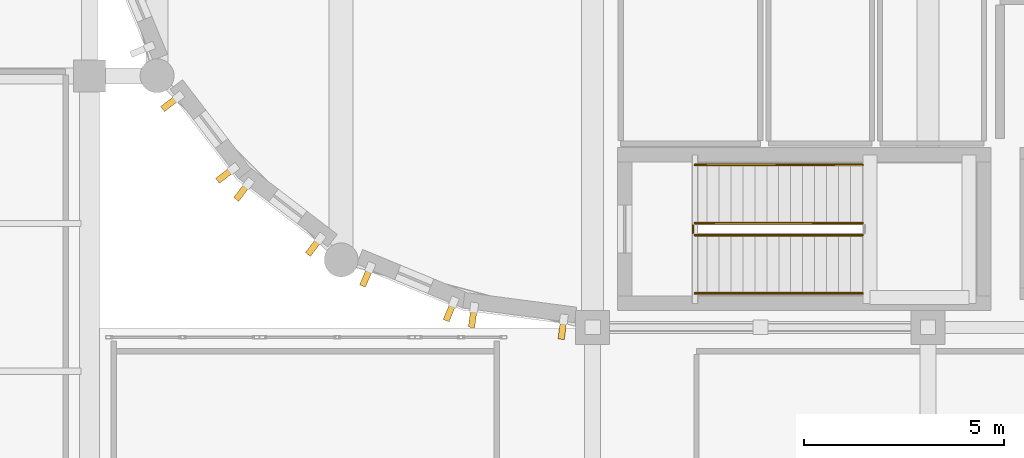
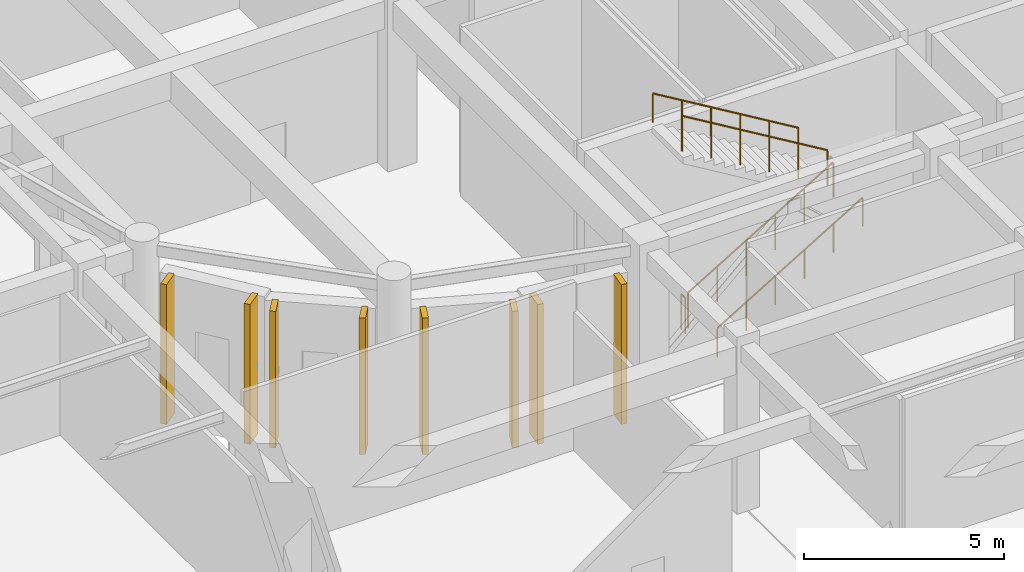
# One storey, part 89 of 98: 8 coverings, 5 railings.
"""IFC4 building model written with IfcOpenShell, lengths in metres."""

from ifc_helpers import new_model, si_unit, direction, frame, origin, origin_2d, place, context, subcontext, project, spatial, rectangle, circle, extrude, material, layer, layer_set, type_object, element, save


model = new_model("IFC4")

# Units and contexts
model_context = context("Model", 3, precision=1e-05, world=origin(), true_north=direction((0.0, 1.0)))
body_context = subcontext(model_context, "Body", "Model", "MODEL_VIEW")
ifc_project = project(units=[si_unit("LENGTHUNIT", "METRE"), si_unit("AREAUNIT", "SQUARE_METRE"), si_unit("VOLUMEUNIT", "CUBIC_METRE"), si_unit("PLANEANGLEUNIT", "RADIAN"), si_unit("MASSUNIT", "GRAM", prefix="KILO")], contexts=[model_context])

# Site, building, storey
site_placement = place(None, origin())
site = spatial("IfcSite", under=ifc_project, at=site_placement, CompositionType="ELEMENT")
building_placement = place(site_placement, origin())
building = spatial("IfcBuilding", under=site, at=building_placement, Name="Tarnavel Promenade Courthouse", CompositionType="ELEMENT")
storey_placement = place(building_placement, origin())
storey = spatial("IfcBuildingStorey", under=building, at=storey_placement, Name="L01", CompositionType="ELEMENT", Elevation=0.0)

# Railings
ifc_material_1 = material(Name="Brushed Bronze Tubular Stair Handrail")
railing_type_1 = type_object("IfcRailingType", Name="Brushed Bronze Tubular Stair Handrail (RL-HND-0900)", PredefinedType="HANDRAIL", material=ifc_material_1)
railing_1_placement = place(storey_placement, frame((61.360107421875, 80.050048828125, 0.179931640625)))
element("IfcRailing", 1, at=railing_1_placement, inside=storey, type_object=railing_type_1, Name="L01 ST-01 stair handrail 1", PredefinedType="HANDRAIL", context=body_context, shape_type="SweptSolid", body=[
    extrude(circle(Radius=0.02392578125, at=origin_2d()), frame((0.0, 0.0, 0.8759765625), z_axis=(0.857488527567, 0.0, 0.514503085598), x_axis=(0.0, 1.0, 0.0)), (0.0, 0.0, 1.0), 4.89794921875),
    extrude(circle(Radius=0.02099609375, at=origin_2d()), origin(), (0.0, 0.0, 1.0), 0.851806640625),
    extrude(circle(Radius=0.02099609375, at=origin_2d()), frame((0.840087890625, 0.0, 0.50390625)), (0.0, 0.0, 1.0), 0.851806640625),
    extrude(circle(Radius=0.02099609375, at=origin_2d()), frame((1.679931640625, 0.0, 1.008056640625)), (0.0, 0.0, 1.0), 0.851806640625),
    extrude(circle(Radius=0.02099609375, at=origin_2d()), frame((2.52001953125, 0.0, 1.511962890625)), (0.0, 0.0, 1.0), 0.851806640625),
    extrude(circle(Radius=0.02099609375, at=origin_2d()), frame((3.35986328125, 0.0, 2.01611328125)), (0.0, 0.0, 1.0), 0.851806640625),
    extrude(circle(Radius=0.02099609375, at=origin_2d()), frame((4.199951171875, 0.0, 2.52001953125)), (0.0, 0.0, 1.0), 0.851806640625),
])
railing_2_placement = place(storey_placement, frame((65.56005859375, 83.27001953125, 2.8798828125)))
element("IfcRailing", 2, at=railing_2_placement, inside=storey, type_object=railing_type_1, Name="L01 ST-01 stair handrail 2", PredefinedType="HANDRAIL", context=body_context, shape_type="SweptSolid", body=[
    extrude(circle(Radius=0.02392578125, at=origin_2d()), frame((0.0, 0.0, 0.8759765625), z_axis=(-0.857488527567, 0.0, 0.514503085598), x_axis=(0.0, -1.0, 0.0)), (0.0, 0.0, 1.0), 4.89794921875),
    extrude(circle(Radius=0.02099609375, at=origin_2d()), origin(), (0.0, 0.0, 1.0), 0.851806640625),
    extrude(circle(Radius=0.02099609375, at=origin_2d()), frame((-0.840087890625, 0.0, 0.50390625)), (0.0, 0.0, 1.0), 0.851806640625),
    extrude(circle(Radius=0.02099609375, at=origin_2d()), frame((-1.679931640625, 0.0, 1.008056640625)), (0.0, 0.0, 1.0), 0.851806640625),
    extrude(circle(Radius=0.02099609375, at=origin_2d()), frame((-2.52001953125, 0.0, 1.511962890625)), (0.0, 0.0, 1.0), 0.851806640625),
    extrude(circle(Radius=0.02099609375, at=origin_2d()), frame((-3.35986328125, 0.0, 2.01611328125)), (0.0, 0.0, 1.0), 0.851806640625),
    extrude(circle(Radius=0.02099609375, at=origin_2d()), frame((-4.199951171875, 0.0, 2.52001953125)), (0.0, 0.0, 1.0), 0.851806640625),
])
ifc_material_2 = material(Name="Painted Architectural Steel Core Stair Guardrail", Category="steel")
railing_type_2 = type_object("IfcRailingType", Name="Painted Architectural Steel Core Stair Guardrail (RL-GRD-1100)", PredefinedType="GUARDRAIL", material=ifc_material_2)
railing_3_placement = place(storey_placement, frame((61.360107421875, 81.510009765625, 0.179931640625)))
element("IfcRailing", 3, at=railing_3_placement, inside=storey, type_object=railing_type_2, Name="L01 ST-01 stair guard 1", PredefinedType="GUARDRAIL", context=body_context, shape_type="SweptSolid", body=[
    extrude(circle(Radius=0.02392578125, at=origin_2d()), frame((0.0, 0.0, 1.076171875), z_axis=(0.857488527567, 0.0, 0.514503085598), x_axis=(0.0, 1.0, 0.0)), (0.0, 0.0, 1.0), 4.89794921875),
    extrude(circle(Radius=0.02099609375, at=origin_2d()), origin(), (0.0, 0.0, 1.0), 1.052001953125),
    extrude(circle(Radius=0.02099609375, at=origin_2d()), frame((0.840087890625, 0.0, 0.50390625)), (0.0, 0.0, 1.0), 1.052001953125),
    extrude(circle(Radius=0.02099609375, at=origin_2d()), frame((1.679931640625, 0.0, 1.008056640625)), (0.0, 0.0, 1.0), 1.052001953125),
    extrude(circle(Radius=0.02099609375, at=origin_2d()), frame((2.52001953125, 0.0, 1.511962890625)), (0.0, 0.0, 1.0), 1.052001953125),
    extrude(circle(Radius=0.02099609375, at=origin_2d()), frame((3.35986328125, 0.0, 2.01611328125)), (0.0, 0.0, 1.0), 1.052001953125),
    extrude(circle(Radius=0.02099609375, at=origin_2d()), frame((4.199951171875, 0.0, 2.52001953125)), (0.0, 0.0, 1.0), 1.052001953125),
])
railing_4_placement = place(storey_placement, frame((65.56005859375, 81.81005859375, 2.8798828125)))
element("IfcRailing", 4, at=railing_4_placement, inside=storey, type_object=railing_type_2, Name="L01 ST-01 stair guard 3", PredefinedType="GUARDRAIL", context=body_context, shape_type="SweptSolid", body=[
    extrude(circle(Radius=0.02392578125, at=origin_2d()), frame((0.0, 0.0, 1.076171875), z_axis=(-0.857488527567, 0.0, 0.514503085598), x_axis=(0.0, -1.0, 0.0)), (0.0, 0.0, 1.0), 4.89794921875),
    extrude(circle(Radius=0.02099609375, at=origin_2d()), origin(), (0.0, 0.0, 1.0), 1.052001953125),
    extrude(circle(Radius=0.02099609375, at=origin_2d()), frame((-0.840087890625, 0.0, 0.50390625)), (0.0, 0.0, 1.0), 1.052001953125),
    extrude(circle(Radius=0.02099609375, at=origin_2d()), frame((-1.679931640625, 0.0, 1.008056640625)), (0.0, 0.0, 1.0), 1.052001953125),
    extrude(circle(Radius=0.02099609375, at=origin_2d()), frame((-2.52001953125, 0.0, 1.511962890625)), (0.0, 0.0, 1.0), 1.052001953125),
    extrude(circle(Radius=0.02099609375, at=origin_2d()), frame((-3.35986328125, 0.0, 2.01611328125)), (0.0, 0.0, 1.0), 1.052001953125),
    extrude(circle(Radius=0.02099609375, at=origin_2d()), frame((-4.199951171875, 0.0, 2.52001953125)), (0.0, 0.0, 1.0), 1.052001953125),
])
railing_5_placement = place(storey_placement, frame((61.31005859375, 81.56005859375, 0.0)))
element("IfcRailing", 5, at=railing_5_placement, inside=storey, type_object=railing_type_2, Name="L01 ST-01 stair guard 4", PredefinedType="GUARDRAIL", context=body_context, shape_type="SweptSolid", body=[
    extrude(circle(Radius=0.02392578125, at=origin_2d()), frame((0.0, 0.0, 1.076171875), z_axis=(0.0, 1.0, 0.0), x_axis=(-1.0, 0.0, 0.0)), (0.0, 0.0, 1.0), 0.199951171875),
    extrude(circle(Radius=0.02099609375, at=origin_2d()), origin(), (0.0, 0.0, 1.0), 1.052001953125),
    extrude(circle(Radius=0.02099609375, at=origin_2d()), frame((0.0, 0.199951171875, 0.0)), (0.0, 0.0, 1.0), 1.052001953125),
])

# Coverings
ifc_material_3 = material(Name="Patinated Copper-Bronze Fluted Pier Cladding")
ifc_layer = layer(ifc_material_3, 0.52001953125)
ifc_layer_set = layer_set([ifc_layer], Name="Patinated Copper-Bronze Fluted Pier Cladding")
covering_type = type_object("IfcCoveringType", Name="Patinated Copper-Bronze Fluted Pier Cladding COV-PIER-520 (520 mm)", PredefinedType="CLADDING", material=ifc_layer_set)
for number, where, z_axis, x_axis, name in (
    (6, (48.23046875, 84.82373046875, 0.0), (0.0, 0.0, 1.0), (0.608761429009, -0.793353340291, 0.0), "L01 W Drum Fluted Copper Pier 0013"),
    (7, (49.60888671875, 83.02734375, 0.0), (0.0, 0.0, 1.0), (0.608761429009, -0.793353340291, 0.0), "L01 W Drum Fluted Copper Pier 0014"),
):
    element("IfcCovering", number, at=place(storey_placement, frame(where, z_axis=z_axis, x_axis=x_axis)), inside=storey, type_object=covering_type, Name=name, PredefinedType="CLADDING", context=body_context, shape_type="SweptSolid", body=[
        extrude(rectangle(XDim=0.159912109375, YDim=0.52001953125, at=origin_2d()), origin(), (0.0, 0.0, 1.0), 4.27001953125),
    ])
for number, where, z_axis, x_axis, name in (
    (8, (50.02734375, 82.60888671875, 0.0), (0.0, 0.0, 1.0), (0.793353340291, -0.608761429009, 0.0), "L01 W Drum Fluted Copper Pier 0015"),
    (9, (51.82373046875, 81.23046875, 0.0), (0.0, 0.0, 1.0), (0.793353340291, -0.608761429009, 0.0), "L01 W Drum Fluted Copper Pier 0016"),
    (10, (53.134765625, 80.4736328125, 0.0), (0.0, 0.0, 1.0), (0.923879532511, -0.382683432365, 0.0), "L01 W Drum Fluted Copper Pier 0017"),
    (11, (55.2265625, 79.607177734375, 0.0), (0.0, 0.0, 1.0), (0.923879532511, -0.382683432365, 0.0), "L01 W Drum Fluted Copper Pier 0018"),
):
    element("IfcCovering", number, at=place(storey_placement, frame(where, z_axis=z_axis, x_axis=x_axis)), inside=storey, type_object=covering_type, Name=name, PredefinedType="CLADDING", context=body_context, shape_type="SweptSolid", body=[
        extrude(rectangle(XDim=0.159912109375, YDim=0.52001953125, at=origin_2d()), origin(), (0.0, 0.0, 1.0), 4.169921875),
    ])
for number, where, z_axis, x_axis, name in (
    (12, (55.798095703125, 79.4541015625, 0.0), (0.0, 0.0, 1.0), (0.991444861374, -0.13052619222, 0.0), "L01 W Drum Fluted Copper Pier 0019"),
    (13, (58.043212890625, 79.158447265625, 0.0), (0.0, 0.0, 1.0), (0.991444861374, -0.13052619222, 0.0), "L01 W Drum Fluted Copper Pier 0020"),
):
    element("IfcCovering", number, at=place(storey_placement, frame(where, z_axis=z_axis, x_axis=x_axis)), inside=storey, type_object=covering_type, Name=name, PredefinedType="CLADDING", context=body_context, shape_type="SweptSolid", body=[
        extrude(rectangle(XDim=0.159912109375, YDim=0.52001953125, at=origin_2d()), origin(), (0.0, 0.0, 1.0), 4.27001953125),
    ])

save(model, "model.ifc")
